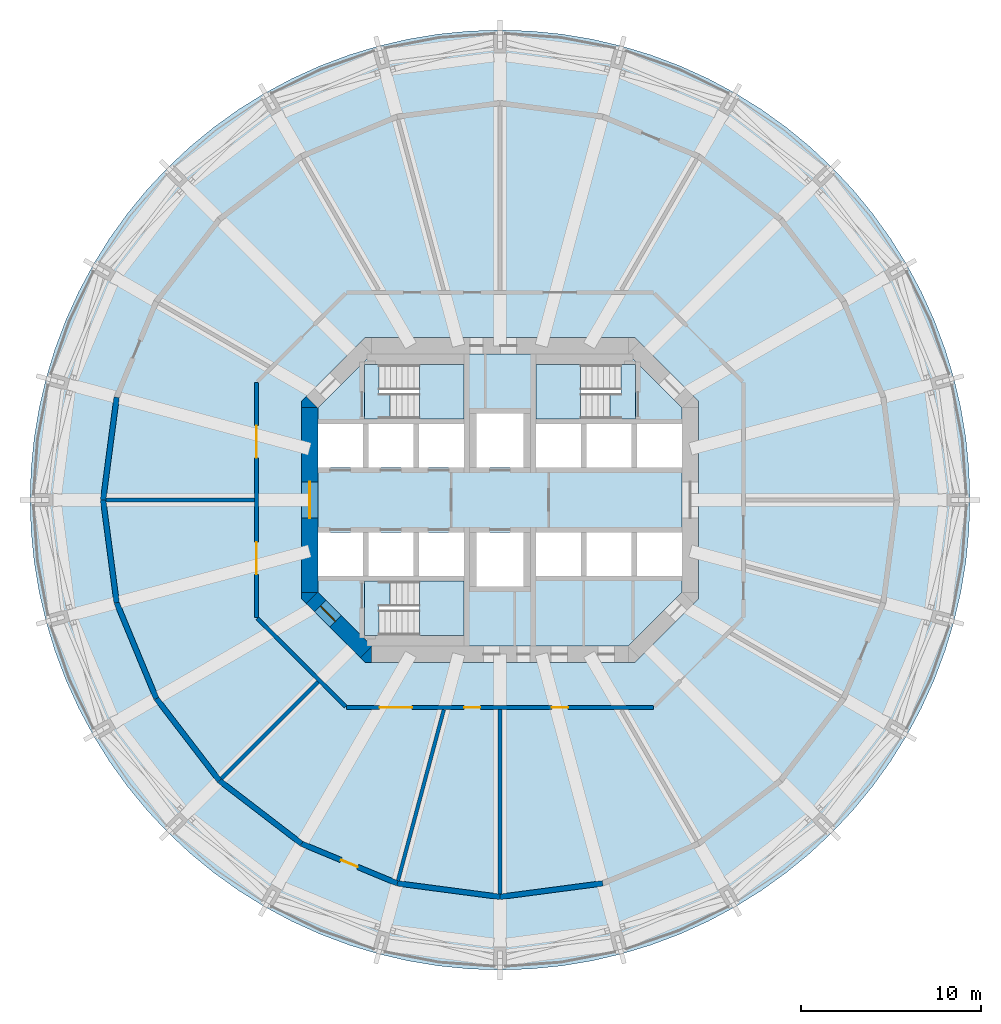
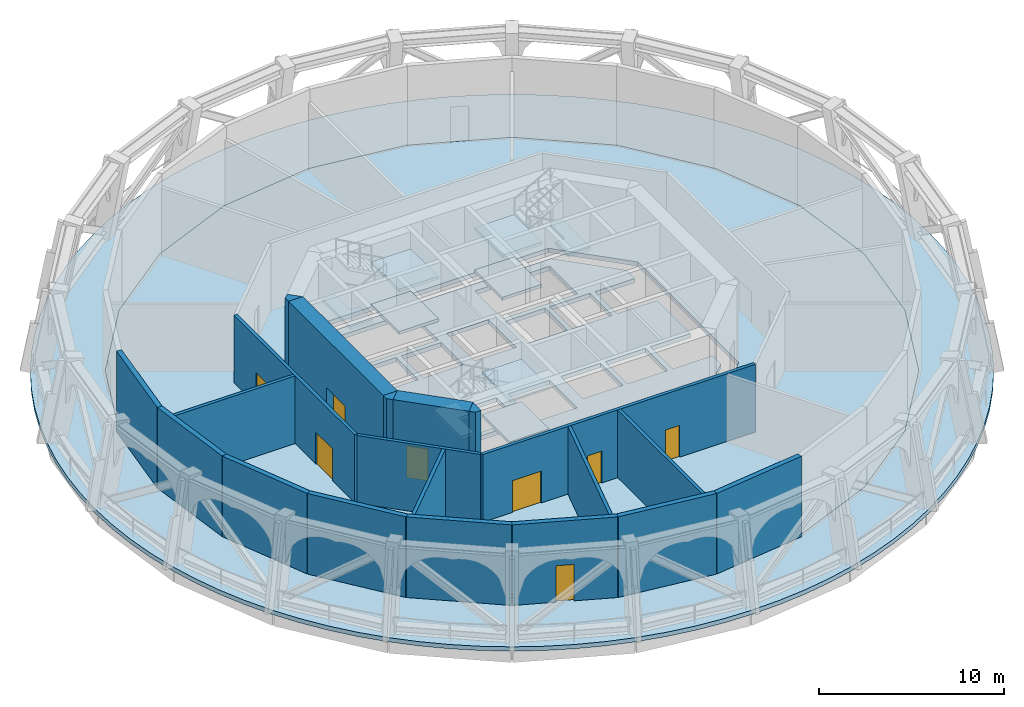
# One storey, part 3 of 9: 20 walls, 12 slabs, 8 doors, 8 openings, 3 elements without a shape of their own.
"""IFC4 building model written with IfcOpenShell, lengths in metres."""

from ifc_helpers import new_model, si_unit, direction, frame, frame_2d, origin, place, context, subcontext, project, spatial, polyline, rectangle, outline, extrude, material, layer, layer_set, type_object, element, fill, aggregate, save


model = new_model("IFC4")

# Units and contexts
model_context = context("Model", 3, precision=1e-05, world=origin(), true_north=direction((0.0, 1.0)))
body_context = subcontext(model_context, "Body", "Model", "MODEL_VIEW")
ifc_project = project(units=[si_unit("LENGTHUNIT", "METRE"), si_unit("AREAUNIT", "SQUARE_METRE"), si_unit("VOLUMEUNIT", "CUBIC_METRE"), si_unit("PLANEANGLEUNIT", "RADIAN"), si_unit("MASSUNIT", "GRAM", prefix="KILO")], contexts=[model_context])

# Site, building, storey
site_placement = place(None, origin())
site = spatial("IfcSite", under=ifc_project, at=site_placement, CompositionType="ELEMENT")
building_placement = place(site_placement, origin())
building = spatial("IfcBuilding", under=site, at=building_placement, Name="Torre Triforio", CompositionType="ELEMENT")
storey_placement = place(building_placement, frame((0.0, 0.0, 110.60009765625)))
storey = spatial("IfcBuildingStorey", under=building, at=storey_placement, Name="L24", CompositionType="ELEMENT", Elevation=110.60009765625)

# Slabs
ifc_material_1 = material(Name="Concrete C60", Category="concrete")
ifc_layer_1 = layer(ifc_material_1, 0.280029296875)
ifc_layer_set_1 = layer_set([ifc_layer_1], Name="Concrete C60")
slab_type_1 = type_object("IfcSlabType", Name="Core floor slab 280 mm C60 REI 120", PredefinedType="FLOOR", material=ifc_layer_set_1)
slab_1_placement = place(storey_placement, frame((0.0, 0.0, -0.280029296875)))
element("IfcSlab", 1, at=slab_1_placement, inside=storey, type_object=slab_type_1, Name="Core floor slab", PredefinedType="FLOOR", context=body_context, shape_type="SweptSolid", body=[
    extrude(outline(polyline([(10.10009765625, -5.10009765625), (7.10009765625, -8.10009765625), (-7.10009765625, -8.10009765625), (-10.10009765625, -5.10009765625), (-10.10009765625, -4.199951171875), (-7.60009765625, -4.199951171875), (-7.60009765625, -1.800048828125), (-10.10009765625, -1.800048828125), (-10.10009765625, 1.800048828125), (-7.60009765625, 1.800048828125), (-7.60009765625, 4.199951171875), (-10.10009765625, 4.199951171875), (-10.10009765625, 5.10009765625), (-7.10009765625, 8.10009765625), (7.10009765625, 8.10009765625), (10.10009765625, 5.10009765625), (10.10009765625, 4.199951171875), (7.60009765625, 4.199951171875), (7.60009765625, 1.800048828125), (10.10009765625, 1.800048828125), (10.10009765625, -1.800048828125), (7.60009765625, -1.800048828125), (7.60009765625, -4.199951171875), (10.10009765625, -4.199951171875), (10.10009765625, -5.10009765625)]), holes=[polyline([(-2.0, -4.5), (-6.696044921875, -4.5), (-6.696044921875, -7.5), (-2.0, -7.5), (-2.0, -4.5)]), polyline([(-4.800048828125, -1.800048828125), (-7.300048828125, -1.800048828125), (-7.300048828125, -4.199951171875), (-4.800048828125, -4.199951171875), (-4.800048828125, -1.800048828125)]), polyline([(-2.0, -1.800048828125), (-4.5, -1.800048828125), (-4.5, -4.199951171875), (-2.0, -4.199951171875), (-2.0, -1.800048828125)]), polyline([(-4.800048828125, 4.199951171875), (-7.300048828125, 4.199951171875), (-7.300048828125, 1.800048828125), (-4.800048828125, 1.800048828125), (-4.800048828125, 4.199951171875)]), polyline([(-2.0, 4.199951171875), (-4.5, 4.199951171875), (-4.5, 1.800048828125), (-2.0, 1.800048828125), (-2.0, 4.199951171875)]), polyline([(1.300048828125, 4.800048828125), (-1.300048828125, 4.800048828125), (-1.300048828125, 1.800048828125), (1.300048828125, 1.800048828125), (1.300048828125, 4.800048828125)]), polyline([(-2.0, 7.5), (-6.696044921875, 7.5), (-6.696044921875, 4.5), (-2.0, 4.5), (-2.0, 7.5)]), polyline([(1.300048828125, -1.800048828125), (-1.300048828125, -1.800048828125), (-1.300048828125, -4.800048828125), (1.300048828125, -4.800048828125), (1.300048828125, -1.800048828125)]), polyline([(4.5, -1.800048828125), (2.0, -1.800048828125), (2.0, -4.199951171875), (4.5, -4.199951171875), (4.5, -1.800048828125)]), polyline([(7.300048828125, -1.800048828125), (4.800048828125, -1.800048828125), (4.800048828125, -4.199951171875), (7.300048828125, -4.199951171875), (7.300048828125, -1.800048828125)]), polyline([(4.5, 4.199951171875), (2.0, 4.199951171875), (2.0, 1.800048828125), (4.5, 1.800048828125), (4.5, 4.199951171875)]), polyline([(7.300048828125, 4.199951171875), (4.800048828125, 4.199951171875), (4.800048828125, 1.800048828125), (7.300048828125, 1.800048828125), (7.300048828125, 4.199951171875)]), polyline([(6.696044921875, 4.5), (6.696044921875, 7.5), (2.0, 7.5), (2.0, 4.5), (6.696044921875, 4.5)])]), origin(), (0.0, 0.0, 1.0), 0.280029296875),
])
ifc_material_2 = material(Name="Concrete C50", Category="concrete")
ifc_layer_2 = layer(ifc_material_2, 0.280029296875)
ifc_layer_set_2 = layer_set([ifc_layer_2], Name="Concrete C50")
slab_type_2 = type_object("IfcSlabType", Name="Floor slab 280 C50", PredefinedType="FLOOR", material=ifc_layer_set_2)
slab_2_placement = place(storey_placement, frame((0.0, 0.0, -0.280029296875)))
element("IfcSlab", 2, at=slab_2_placement, inside=storey, type_object=slab_type_2, Name="SL.L24", PredefinedType="FLOOR", context=body_context, shape_type="SweptSolid", body=[
    extrude(outline(polyline([(19.052490234375, -11.0), (21.25048828125, -5.694091796875), (22.0, 0.0), (21.25048828125, 5.694091796875), (19.052490234375, 11.0), (15.556396484375, 15.556396484375), (11.0, 19.052490234375), (5.694091796875, 21.25048828125), (0.0, 22.0), (-5.694091796875, 21.25048828125), (-11.0, 19.052490234375), (-15.556396484375, 15.556396484375), (-19.052490234375, 11.0), (-21.25048828125, 5.694091796875), (-22.0, 0.0), (-21.25048828125, -5.694091796875), (-19.052490234375, -11.0), (-15.556396484375, -15.556396484375), (-11.0, -19.052490234375), (-5.694091796875, -21.25048828125), (0.0, -22.0), (5.694091796875, -21.25048828125), (11.0, -19.052490234375), (15.556396484375, -15.556396484375), (19.052490234375, -11.0)]), holes=[polyline([(11.0, 5.472900390625), (11.0, -5.472900390625), (7.472900390625, -9.0), (-7.472900390625, -9.0), (-11.0, -5.472900390625), (-11.0, 5.472900390625), (-7.472900390625, 9.0), (7.472900390625, 9.0), (11.0, 5.472900390625)])]), origin(), (0.0, 0.0, 1.0), 0.280029296875),
])
ifc_layer_3 = layer(ifc_material_2, 0.280029296875)
ifc_layer_set_3 = layer_set([ifc_layer_3], Name="Concrete C50")
slab_type_3 = type_object("IfcSlabType", Name="Loggia slab 280 C50", PredefinedType="FLOOR", material=ifc_layer_set_3)
slab_3_placement = place(storey_placement, frame((0.0, 0.0, -0.280029296875)))
element("IfcSlab", 3, at=slab_3_placement, inside=storey, type_object=slab_type_3, Name="SL.L24.LG", PredefinedType="FLOOR", context=body_context, shape_type="SweptSolid", body=[
    extrude(outline(polyline([(25.994140625, -1.703857421875), (26.050048828125, 0.0), (25.994140625, 1.703857421875), (25.8271484375, 3.400146484375), (25.549560546875, 5.08203125), (25.162353515625, 6.7421875), (24.66748046875, 8.37353515625), (24.067138671875, 9.968994140625), (23.363525390625, 11.521728515625), (22.56005859375, 13.02490234375), (21.65966796875, 14.47265625), (20.666748046875, 15.858154296875), (19.58544921875, 17.176025390625), (18.420166015625, 18.420166015625), (17.176025390625, 19.58544921875), (15.858154296875, 20.666748046875), (14.47265625, 21.65966796875), (13.02490234375, 22.56005859375), (11.521728515625, 23.363525390625), (9.968994140625, 24.067138671875), (8.37353515625, 24.66748046875), (6.7421875, 25.162353515625), (5.08203125, 25.549560546875), (3.400146484375, 25.8271484375), (1.703857421875, 25.994140625), (0.0, 26.050048828125), (-1.703857421875, 25.994140625), (-3.400146484375, 25.8271484375), (-5.08203125, 25.549560546875), (-6.7421875, 25.162353515625), (-8.37353515625, 24.66748046875), (-9.968994140625, 24.067138671875), (-11.521728515625, 23.363525390625), (-13.02490234375, 22.56005859375), (-14.47265625, 21.65966796875), (-15.858154296875, 20.666748046875), (-17.176025390625, 19.58544921875), (-18.420166015625, 18.420166015625), (-19.58544921875, 17.176025390625), (-20.666748046875, 15.858154296875), (-21.65966796875, 14.47265625), (-22.56005859375, 13.02490234375), (-23.363525390625, 11.521728515625), (-24.067138671875, 9.968994140625), (-24.66748046875, 8.37353515625), (-25.162353515625, 6.7421875), (-25.549560546875, 5.08203125), (-25.8271484375, 3.400146484375), (-25.994140625, 1.703857421875), (-26.050048828125, 0.0), (-25.994140625, -1.703857421875), (-25.8271484375, -3.400146484375), (-25.549560546875, -5.08203125), (-25.162353515625, -6.7421875), (-24.66748046875, -8.37353515625), (-24.067138671875, -9.968994140625), (-23.363525390625, -11.521728515625), (-22.56005859375, -13.02490234375), (-21.65966796875, -14.47265625), (-20.666748046875, -15.858154296875), (-19.58544921875, -17.176025390625), (-18.420166015625, -18.420166015625), (-17.176025390625, -19.58544921875), (-15.858154296875, -20.666748046875), (-14.47265625, -21.65966796875), (-13.02490234375, -22.56005859375), (-11.521728515625, -23.363525390625), (-9.968994140625, -24.067138671875), (-8.37353515625, -24.66748046875), (-6.7421875, -25.162353515625), (-5.08203125, -25.549560546875), (-3.400146484375, -25.8271484375), (-1.703857421875, -25.994140625), (0.0, -26.050048828125), (1.703857421875, -25.994140625), (3.400146484375, -25.8271484375), (5.08203125, -25.549560546875), (6.7421875, -25.162353515625), (8.37353515625, -24.66748046875), (9.968994140625, -24.067138671875), (11.521728515625, -23.363525390625), (13.02490234375, -22.56005859375), (14.47265625, -21.65966796875), (15.858154296875, -20.666748046875), (17.176025390625, -19.58544921875), (18.420166015625, -18.420166015625), (19.58544921875, -17.176025390625), (20.666748046875, -15.858154296875), (21.65966796875, -14.47265625), (22.56005859375, -13.02490234375), (23.363525390625, -11.521728515625), (24.067138671875, -9.968994140625), (24.66748046875, -8.37353515625), (25.162353515625, -6.7421875), (25.549560546875, -5.08203125), (25.8271484375, -3.400146484375), (25.994140625, -1.703857421875)]), holes=[polyline([(21.25048828125, 5.694091796875), (22.0, 0.0), (21.25048828125, -5.694091796875), (19.052490234375, -11.0), (15.556396484375, -15.556396484375), (11.0, -19.052490234375), (5.694091796875, -21.25048828125), (0.0, -22.0), (-5.694091796875, -21.25048828125), (-11.0, -19.052490234375), (-15.556396484375, -15.556396484375), (-19.052490234375, -11.0), (-21.25048828125, -5.694091796875), (-22.0, 0.0), (-21.25048828125, 5.694091796875), (-19.052490234375, 11.0), (-15.556396484375, 15.556396484375), (-11.0, 19.052490234375), (-5.694091796875, 21.25048828125), (0.0, 22.0), (5.694091796875, 21.25048828125), (11.0, 19.052490234375), (15.556396484375, 15.556396484375), (19.052490234375, 11.0), (21.25048828125, 5.694091796875)])]), origin(), (0.0, 0.0, 1.0), 0.280029296875),
])

# Stair, slabs
ifc_material_3 = material(Name="Concrete C40", Category="concrete")
stair_type = type_object("IfcStairType", Name="STAIR DOUBLE RETURN 320 GOING", PredefinedType="DOUBLE_RETURN_STAIR", material=ifc_material_3)
stair_1_placement = place(storey_placement, origin())
stair_1 = element("IfcStair", 4, at=stair_1_placement, inside=storey, type_object=stair_type, Name="Exit stair 1", PredefinedType="DOUBLE_RETURN_STAIR")
ifc_layer_4 = layer(ifc_material_3, 0.199951171875)
ifc_layer_set_4 = layer_set([ifc_layer_4], Name="Concrete C40")
slab_type_4 = type_object("IfcSlabType", Name="STAIR LANDING 200", PredefinedType="LANDING", material=ifc_layer_set_4)
slab_4_placement = place(storey_placement, frame((0.0, 0.0, 1.199951171875)))
slab_4 = element("IfcSlab", 5, at=slab_4_placement, type_object=slab_type_4, Name="ST1 landing 1", PredefinedType="LANDING", context=body_context, shape_type="SweptSolid", body=[
    extrude(outline(polyline([(-2.0, 4.5), (-2.0, 7.5), (-4.4599609375, 7.5), (-4.4599609375, 4.5), (-2.0, 4.5)])), origin(), (0.0, 0.0, 1.0), 0.199951171875),
])
slab_5_placement = place(storey_placement, frame((0.0, 0.0, 2.599853515625)))
slab_5 = element("IfcSlab", 6, at=slab_5_placement, type_object=slab_type_4, Name="ST1 landing 2", PredefinedType="LANDING", context=body_context, shape_type="SweptSolid", body=[
    extrude(outline(polyline([(-6.10009765625, 5.89990234375), (-6.10009765625, 4.5), (-6.696044921875, 4.5), (-6.699951171875, 4.5), (-7.5, 4.5), (-7.5, 7.5), (-6.696044921875, 7.5), (-6.696044921875, 5.89990234375), (-6.10009765625, 5.89990234375)])), origin(), (0.0, 0.0, 1.0), 0.199951171875),
])
slab_6_placement = place(storey_placement, frame((0.0, 0.0, 4.0)))
slab_6 = element("IfcSlab", 7, at=slab_6_placement, type_object=slab_type_4, Name="ST1 landing 3", PredefinedType="LANDING", context=body_context, shape_type="SweptSolid", body=[
    extrude(outline(polyline([(-2.0, 4.5), (-2.0, 7.5), (-4.4599609375, 7.5), (-4.4599609375, 4.5), (-2.0, 4.5)])), origin(), (0.0, 0.0, 1.0), 0.199951171875),
])
aggregate(stair_1, [slab_4, slab_5, slab_6])

stair_2_placement = place(storey_placement, origin())
stair_2 = element("IfcStair", 8, at=stair_2_placement, inside=storey, type_object=stair_type, Name="Exit stair 2", PredefinedType="DOUBLE_RETURN_STAIR")
slab_7_placement = place(storey_placement, frame((0.0, 0.0, 1.199951171875)))
slab_7 = element("IfcSlab", 9, at=slab_7_placement, type_object=slab_type_4, Name="ST2 landing 1", PredefinedType="LANDING", context=body_context, shape_type="SweptSolid", body=[
    extrude(outline(polyline([(4.4599609375, 4.5), (4.4599609375, 7.5), (2.0, 7.5), (2.0, 4.5), (4.4599609375, 4.5)])), origin(), (0.0, 0.0, 1.0), 0.199951171875),
])
slab_8_placement = place(storey_placement, frame((0.0, 0.0, 2.599853515625)))
slab_8 = element("IfcSlab", 10, at=slab_8_placement, type_object=slab_type_4, Name="ST2 landing 2", PredefinedType="LANDING", context=body_context, shape_type="SweptSolid", body=[
    extrude(outline(polyline([(6.10009765625, 4.5), (6.10009765625, 5.89990234375), (6.696044921875, 5.89990234375), (6.696044921875, 7.5), (7.5, 7.5), (7.5, 4.5), (6.699951171875, 4.5), (6.696044921875, 4.5), (6.10009765625, 4.5)])), origin(), (0.0, 0.0, 1.0), 0.199951171875),
])
slab_9_placement = place(storey_placement, frame((0.0, 0.0, 4.0)))
slab_9 = element("IfcSlab", 11, at=slab_9_placement, type_object=slab_type_4, Name="ST2 landing 3", PredefinedType="LANDING", context=body_context, shape_type="SweptSolid", body=[
    extrude(outline(polyline([(4.4599609375, 4.5), (4.4599609375, 7.5), (2.0, 7.5), (2.0, 4.5), (4.4599609375, 4.5)])), origin(), (0.0, 0.0, 1.0), 0.199951171875),
])
aggregate(stair_2, [slab_7, slab_8, slab_9])

stair_3_placement = place(storey_placement, origin())
stair_3 = element("IfcStair", 12, at=stair_3_placement, inside=storey, type_object=stair_type, Name="Exit stair 3", PredefinedType="DOUBLE_RETURN_STAIR")
slab_10_placement = place(storey_placement, frame((0.0, 0.0, 1.199951171875)))
slab_10 = element("IfcSlab", 13, at=slab_10_placement, type_object=slab_type_4, Name="ST3 landing 1", PredefinedType="LANDING", context=body_context, shape_type="SweptSolid", body=[
    extrude(outline(polyline([(-2.0, -7.5), (-2.0, -4.5), (-4.4599609375, -4.5), (-4.4599609375, -7.5), (-2.0, -7.5)])), origin(), (0.0, 0.0, 1.0), 0.199951171875),
])
slab_11_placement = place(storey_placement, frame((0.0, 0.0, 2.599853515625)))
slab_11 = element("IfcSlab", 14, at=slab_11_placement, type_object=slab_type_4, Name="ST3 landing 2", PredefinedType="LANDING", context=body_context, shape_type="SweptSolid", body=[
    extrude(outline(polyline([(-6.696044921875, -7.5), (-7.5, -7.5), (-7.5, -4.5), (-6.699951171875, -4.5), (-6.696044921875, -4.5), (-6.10009765625, -4.5), (-6.10009765625, -5.89990234375), (-6.696044921875, -5.89990234375), (-6.696044921875, -7.5)])), origin(), (0.0, 0.0, 1.0), 0.199951171875),
])
slab_12_placement = place(storey_placement, frame((0.0, 0.0, 4.0)))
slab_12 = element("IfcSlab", 15, at=slab_12_placement, type_object=slab_type_4, Name="ST3 landing 3", PredefinedType="LANDING", context=body_context, shape_type="SweptSolid", body=[
    extrude(outline(polyline([(-2.0, -7.5), (-2.0, -4.5), (-4.4599609375, -4.5), (-4.4599609375, -7.5), (-2.0, -7.5)])), origin(), (0.0, 0.0, 1.0), 0.199951171875),
])
aggregate(stair_3, [slab_10, slab_11, slab_12])

# Wall, opening, door
ifc_layer_5 = layer(ifc_material_1, 0.89990234375)
ifc_layer_set_5 = layer_set([ifc_layer_5], Name="Concrete C60")
wall_type_1 = type_object("IfcWallType", Name="Core wall 900 mm C60 EI 120", PredefinedType="SHEAR", material=ifc_layer_set_5)
wall_1_placement = place(storey_placement, frame((-10.550048828125, -5.1298828125, -0.280029296875), z_axis=(0.0, 0.0, 1.0), x_axis=(0.0, 1.0, 0.0)))
wall_1 = element("IfcWall", 16, at=wall_1_placement, inside=storey, type_object=wall_type_1, Name="Core wall", PredefinedType="SHEAR", context=body_context, shape_type="SweptSolid", body=[
    extrude(rectangle(XDim=10.259765625, YDim=0.89990234375, at=frame_2d((5.1298828125, 0.0))), origin(), (0.0, 0.0, 1.0), 5.599853515625),
])
opening_1_placement = place(wall_1_placement, frame((4.1298828125, 0.0, 0.280029296875)))
opening_1 = element("IfcOpeningElement", 17, at=opening_1_placement, cuts=wall_1, Name="Opening W-RING", PredefinedType="OPENING", context=body_context, shape_type="SweptSolid", body=[
    extrude(rectangle(XDim=2.0, YDim=2.10009765625, at=frame_2d((1.0, 1.050048828125))), frame((0.0, 0.4599609375, 0.0), z_axis=(0.0, -1.0, 0.0), x_axis=(1.0, 0.0, 0.0)), (0.0, 0.0, 1.0), 0.919921875),
])
ifc_material_4 = material(Name="Hollow metal fire door leaf")
door_type_1 = type_object("IfcDoorType", Name="Lobby door 2000 x 2100 EI 60", OperationType="DOUBLE_DOOR_SINGLE_SWING", PredefinedType="DOOR", material=ifc_material_4)
door_1_placement = place(opening_1_placement, origin())
door_1 = element("IfcDoor", 18, at=door_1_placement, inside=storey, type_object=door_type_1, Name="Core door W-RING", OperationType="DOUBLE_DOOR_SINGLE_SWING", OverallHeight=2.10009765625, OverallWidth=2.0, PredefinedType="DOOR", context=body_context, shape_type="SweptSolid", body=[
    extrude(rectangle(XDim=2.0, YDim=2.10009765625, at=frame_2d((1.0, 1.050048828125))), frame((0.0, 0.02490234375, 0.0), z_axis=(0.0, -1.0, 0.0), x_axis=(1.0, 0.0, 0.0)), (0.0, 0.0, 1.0), 0.050048828125),
])
fill(opening_1, door_1)

wall_2_placement = place(storey_placement, frame((-7.418212890625, -8.418212890625, -0.280029296875), z_axis=(0.0, 0.0, 1.0), x_axis=(-0.707106781187, 0.707106781187, 0.0)))
wall_2 = element("IfcWall", 19, at=wall_2_placement, inside=storey, type_object=wall_type_1, Name="Core wall", PredefinedType="SHEAR", context=body_context, shape_type="SweptSolid", body=[
    extrude(rectangle(XDim=4.24267578125, YDim=0.89990234375, at=frame_2d((2.121337890625, 0.0))), origin(), (0.0, 0.0, 1.0), 5.599853515625),
])
opening_2_placement = place(wall_2_placement, frame((2.392578125, 0.0, 0.280029296875)))
opening_2 = element("IfcOpeningElement", 20, at=opening_2_placement, cuts=wall_2, Name="Opening ST3-EXIT", PredefinedType="OPENING", context=body_context, shape_type="SweptSolid", body=[
    extrude(rectangle(XDim=1.199951171875, YDim=2.10009765625, at=frame_2d((0.60009765625, 1.050048828125))), frame((0.0, 0.4599609375, 0.0), z_axis=(0.0, -1.0, 0.0), x_axis=(1.0, 0.0, 0.0)), (0.0, 0.0, 1.0), 0.919921875),
])
door_type_2 = type_object("IfcDoorType", Name="Stair lobby door 1200 x 2100 EI 60", OperationType="NOTDEFINED", PredefinedType="DOOR", material=ifc_material_4)
door_2_placement = place(opening_2_placement, origin())
door_2 = element("IfcDoor", 21, at=door_2_placement, inside=storey, type_object=door_type_2, Name="Core door ST3-EXIT", OperationType="SINGLE_SWING_RIGHT", OverallHeight=2.10009765625, OverallWidth=1.199951171875, PredefinedType="DOOR", context=body_context, shape_type="SweptSolid", body=[
    extrude(rectangle(XDim=1.199951171875, YDim=2.10009765625, at=frame_2d((0.60009765625, 1.050048828125))), frame((0.0, 0.02490234375, 0.0), z_axis=(0.0, -1.0, 0.0), x_axis=(1.0, 0.0, 0.0)), (0.0, 0.0, 1.0), 0.050048828125),
])
fill(opening_2, door_2)

# Walls
wall_3_placement = place(storey_placement, frame((0.0, 0.0, -0.280029296875)))
element("IfcWall", 22, at=wall_3_placement, inside=storey, type_object=wall_type_1, Name="Core wall", PredefinedType="SHEAR", context=body_context, shape_type="SweptSolid", body=[
    extrude(outline(polyline([(-7.472900390625, -9.0), (-7.736328125, -8.736328125), (-7.1298828125, -8.1298828125), (-7.1298828125, -9.0), (-7.472900390625, -9.0)])), origin(), (0.0, 0.0, 1.0), 5.599853515625),
])
wall_4_placement = place(storey_placement, frame((0.0, 0.0, -0.280029296875)))
element("IfcWall", 23, at=wall_4_placement, inside=storey, type_object=wall_type_1, Name="Core wall", PredefinedType="SHEAR", context=body_context, shape_type="SweptSolid", body=[
    extrude(outline(polyline([(-11.0, -5.472900390625), (-11.0, -5.1298828125), (-10.1298828125, -5.1298828125), (-10.736328125, -5.736328125), (-11.0, -5.472900390625)])), origin(), (0.0, 0.0, 1.0), 5.599853515625),
])
wall_5_placement = place(storey_placement, frame((0.0, 0.0, -0.280029296875)))
element("IfcWall", 24, at=wall_5_placement, inside=storey, type_object=wall_type_1, Name="Core wall", PredefinedType="SHEAR", context=body_context, shape_type="SweptSolid", body=[
    extrude(outline(polyline([(-10.736328125, 5.736328125), (-10.1298828125, 5.1298828125), (-11.0, 5.1298828125), (-11.0, 5.472900390625), (-10.736328125, 5.736328125)])), origin(), (0.0, 0.0, 1.0), 5.599853515625),
])
ifc_material_5 = material(Name="Aluminium louvre blades", Category="aluminium")
ifc_layer_6 = layer(ifc_material_5, 0.300048828125)
ifc_layer_set_6 = layer_set([ifc_layer_6], Name="Aluminium louvre blades")
wall_type_2 = type_object("IfcWallType", Name="Louvred enclosure wall 300", PredefinedType="STANDARD", material=ifc_layer_set_6)
for number, where, z_axis, x_axis, name in (
    (25, (-21.25048828125, 5.694091796875, 0.0), (0.0, 0.0, 1.0), (-0.130503995834, -0.991447783331, 0.0), "Louvred enclosure L24 bay 12"),
    (26, (-22.0, 0.0, 0.0), (0.0, 0.0, 1.0), (0.130503995834, -0.991447783331, 0.0), "Louvred enclosure L24 bay 13"),
    (27, (-21.25048828125, -5.694091796875, 0.0), (0.0, 0.0, 1.0), (0.382715966503, -0.923866055759, 0.0), "Louvred enclosure L24 bay 14"),
    (28, (-19.052490234375, -11.0, 0.0), (0.0, 0.0, 1.0), (0.608744744291, -0.793366142647, 0.0), "Louvred enclosure L24 bay 15"),
    (29, (-15.556396484375, -15.556396484375, 0.0), (0.0, 0.0, 1.0), (0.793366142647, -0.608744744291, 0.0), "Louvred enclosure L24 bay 16"),
):
    element("IfcWall", number, at=place(storey_placement, frame(where, z_axis=z_axis, x_axis=x_axis)), inside=storey, type_object=wall_type_2, Name=name, PredefinedType="STANDARD", context=body_context, shape_type="SweptSolid", body=[
        extrude(rectangle(XDim=5.7431640625, YDim=0.300048828125, at=frame_2d((2.87158203125, 0.0))), origin(), (0.0, 0.0, 1.0), 5.31982421875),
    ])

# Wall, opening, door
wall_6_placement = place(storey_placement, frame((-11.0, -19.052490234375, 0.0), z_axis=(0.0, 0.0, 1.0), x_axis=(0.923866055759, -0.382715966503, 0.0)))
wall_6 = element("IfcWall", 30, at=wall_6_placement, inside=storey, type_object=wall_type_2, Name="Louvred enclosure L24 bay 17", PredefinedType="STANDARD", context=body_context, shape_type="SweptSolid", body=[
    extrude(rectangle(XDim=5.7431640625, YDim=0.300048828125, at=frame_2d((2.87158203125, 0.0))), origin(), (0.0, 0.0, 1.0), 5.31982421875),
])
opening_3_placement = place(wall_6_placement, frame((2.37158203125, 0.0, 0.0)))
opening_3 = element("IfcOpeningElement", 31, at=opening_3_placement, cuts=wall_6, Name="Opening PL1-D17", PredefinedType="OPENING", context=body_context, shape_type="SweptSolid", body=[
    extrude(rectangle(XDim=1.0, YDim=2.39990234375, at=frame_2d((0.5, 1.199951171875))), frame((0.0, 0.159912109375, 0.0), z_axis=(0.0, -1.0, 0.0), x_axis=(1.0, 0.0, 0.0)), (0.0, 0.0, 1.0), 0.320068359375),
])
ifc_material_6 = material(Name="Galvanised hollow metal louvred door")
door_type_3 = type_object("IfcDoorType", Name="Deck service door 1000 x 2400", OperationType="NOTDEFINED", PredefinedType="DOOR", material=ifc_material_6)
door_3_placement = place(opening_3_placement, origin())
door_3 = element("IfcDoor", 32, at=door_3_placement, inside=storey, type_object=door_type_3, Name="Deck service door L24 bay 17", OperationType="SINGLE_SWING_LEFT", OverallHeight=2.39990234375, OverallWidth=1.0, PredefinedType="DOOR", context=body_context, shape_type="SweptSolid", body=[
    extrude(rectangle(XDim=1.0, YDim=2.39990234375, at=frame_2d((0.5, 1.199951171875))), frame((0.0, 0.02490234375, 0.0), z_axis=(0.0, -1.0, 0.0), x_axis=(1.0, 0.0, 0.0)), (0.0, 0.0, 1.0), 0.050048828125),
])
fill(opening_3, door_3)

# Walls
for number, where, z_axis, x_axis, name in (
    (33, (-5.694091796875, -21.25048828125, 0.0), (0.0, 0.0, 1.0), (0.991447783331, -0.130503995834, 0.0), "Louvred enclosure L24 bay 18"),
    (34, (0.0, -22.0, 0.0), (0.0, 0.0, 1.0), (0.991447783331, 0.130503995834, 0.0), "Louvred enclosure L24 bay 19"),
):
    element("IfcWall", number, at=place(storey_placement, frame(where, z_axis=z_axis, x_axis=x_axis)), inside=storey, type_object=wall_type_2, Name=name, PredefinedType="STANDARD", context=body_context, shape_type="SweptSolid", body=[
        extrude(rectangle(XDim=5.7431640625, YDim=0.300048828125, at=frame_2d((2.87158203125, 0.0))), origin(), (0.0, 0.0, 1.0), 5.31982421875),
    ])

# Wall, openings, doors
ifc_material_7 = material(Name="Masonry block", Category="masonry")
ifc_layer_7 = layer(ifc_material_7, 0.199951171875)
ifc_layer_set_7 = layer_set([ifc_layer_7], Name="Masonry block")
wall_type_3 = type_object("IfcWallType", Name="Plant room wall 200 mm block EI 120", PredefinedType="PARTITIONING", material=ifc_layer_set_7)
wall_7_placement = place(storey_placement, frame((8.50830078125, -11.5, 0.0), z_axis=(0.0, 0.0, 1.0), x_axis=(-1.0, 0.0, 0.0)))
wall_7 = element("IfcWall", 35, at=wall_7_placement, inside=storey, type_object=wall_type_3, Name="Partition 2", PredefinedType="PARTITIONING", context=body_context, shape_type="SweptSolid", body=[
    extrude(rectangle(XDim=17.0166015625, YDim=0.199951171875, at=frame_2d((8.50830078125, 0.0))), origin(), (0.0, 0.0, 1.0), 4.469970703125),
])
opening_4_placement = place(wall_7_placement, frame((13.378173828125, 0.0, 0.0)))
opening_4 = element("IfcOpeningElement", 36, at=opening_4_placement, cuts=wall_7, Name="Opening PL1-08", PredefinedType="OPENING", context=body_context, shape_type="SweptSolid", body=[
    extrude(rectangle(XDim=1.800048828125, YDim=2.10009765625, at=frame_2d((0.89990234375, 1.050048828125))), frame((0.0, 0.10986328125, 0.0), z_axis=(0.0, -1.0, 0.0), x_axis=(1.0, 0.0, 0.0)), (0.0, 0.0, 1.0), 0.219970703125),
])
opening_5_placement = place(wall_7_placement, frame((9.599853515625, 0.0, 0.0)))
opening_5 = element("IfcOpeningElement", 37, at=opening_5_placement, cuts=wall_7, Name="Opening PL1-09", PredefinedType="OPENING", context=body_context, shape_type="SweptSolid", body=[
    extrude(rectangle(XDim=0.89990234375, YDim=2.10009765625, at=frame_2d((0.449951171875, 1.050048828125))), frame((0.0, 0.10986328125, 0.0), z_axis=(0.0, -1.0, 0.0), x_axis=(1.0, 0.0, 0.0)), (0.0, 0.0, 1.0), 0.219970703125),
])
opening_6_placement = place(wall_7_placement, frame((4.734619140625, 0.0, 0.0)))
opening_6 = element("IfcOpeningElement", 38, at=opening_6_placement, cuts=wall_7, Name="Opening PL1-10", PredefinedType="OPENING", context=body_context, shape_type="SweptSolid", body=[
    extrude(rectangle(XDim=0.89990234375, YDim=2.10009765625, at=frame_2d((0.449951171875, 1.050048828125))), frame((0.0, 0.10986328125, 0.0), z_axis=(0.0, -1.0, 0.0), x_axis=(1.0, 0.0, 0.0)), (0.0, 0.0, 1.0), 0.219970703125),
])
door_type_4 = type_object("IfcDoorType", Name="Door 1800 x 2100 double leaf EI 60", OperationType="DOUBLE_DOOR_SINGLE_SWING", PredefinedType="DOOR", material=ifc_material_4)
door_4_placement = place(opening_4_placement, origin())
door_4 = element("IfcDoor", 39, at=door_4_placement, inside=storey, type_object=door_type_4, Name="Door PL1-08", OperationType="DOUBLE_DOOR_SINGLE_SWING", OverallHeight=2.10009765625, OverallWidth=1.800048828125, PredefinedType="DOOR", context=body_context, shape_type="SweptSolid", body=[
    extrude(rectangle(XDim=1.800048828125, YDim=2.10009765625, at=frame_2d((0.89990234375, 1.050048828125))), frame((0.0, 0.02490234375, 0.0), z_axis=(0.0, -1.0, 0.0), x_axis=(1.0, 0.0, 0.0)), (0.0, 0.0, 1.0), 0.050048828125),
])
fill(opening_4, door_4)
door_type_5 = type_object("IfcDoorType", Name="Door 900 x 2100 single leaf EI 60", OperationType="NOTDEFINED", PredefinedType="DOOR", material=ifc_material_4)
door_5_placement = place(opening_5_placement, origin())
door_5 = element("IfcDoor", 40, at=door_5_placement, inside=storey, type_object=door_type_5, Name="Door PL1-09", OperationType="SINGLE_SWING_LEFT", OverallHeight=2.10009765625, OverallWidth=0.89990234375, PredefinedType="DOOR", context=body_context, shape_type="SweptSolid", body=[
    extrude(rectangle(XDim=0.89990234375, YDim=2.10009765625, at=frame_2d((0.449951171875, 1.050048828125))), frame((0.0, 0.02490234375, 0.0), z_axis=(0.0, -1.0, 0.0), x_axis=(1.0, 0.0, 0.0)), (0.0, 0.0, 1.0), 0.050048828125),
])
fill(opening_5, door_5)
door_6_placement = place(opening_6_placement, origin())
door_6 = element("IfcDoor", 41, at=door_6_placement, inside=storey, type_object=door_type_5, Name="Door PL1-10", OperationType="SINGLE_SWING_LEFT", OverallHeight=2.10009765625, OverallWidth=0.89990234375, PredefinedType="DOOR", context=body_context, shape_type="SweptSolid", body=[
    extrude(rectangle(XDim=0.89990234375, YDim=2.10009765625, at=frame_2d((0.449951171875, 1.050048828125))), frame((0.0, 0.02490234375, 0.0), z_axis=(0.0, -1.0, 0.0), x_axis=(1.0, 0.0, 0.0)), (0.0, 0.0, 1.0), 0.050048828125),
])
fill(opening_6, door_6)

# Wall
wall_8_placement = place(storey_placement, frame((-8.557861328125, -11.450439453125, 0.0), z_axis=(0.0, 0.0, 1.0), x_axis=(-0.707106781187, 0.707106781187, 0.0)))
element("IfcWall", 42, at=wall_8_placement, inside=storey, type_object=wall_type_3, Name="Partition 3", PredefinedType="PARTITIONING", context=body_context, shape_type="SweptSolid", body=[
    extrude(rectangle(XDim=6.919189453125, YDim=0.199951171875, at=frame_2d((3.45947265625, 0.0))), origin(), (0.0, 0.0, 1.0), 4.469970703125),
])

# Wall, openings, doors
wall_9_placement = place(storey_placement, frame((-13.5, -6.50830078125, 0.0), z_axis=(0.0, 0.0, 1.0), x_axis=(0.0, 1.0, 0.0)))
wall_9 = element("IfcWall", 43, at=wall_9_placement, inside=storey, type_object=wall_type_3, Name="Partition 4", PredefinedType="PARTITIONING", context=body_context, shape_type="SweptSolid", body=[
    extrude(rectangle(XDim=13.0166015625, YDim=0.199951171875, at=frame_2d((6.50830078125, 0.0))), origin(), (0.0, 0.0, 1.0), 4.469970703125),
])
opening_7_placement = place(wall_9_placement, frame((8.83740234375, 0.0, 0.0)))
opening_7 = element("IfcOpeningElement", 44, at=opening_7_placement, cuts=wall_9, Name="Opening PL1-06", PredefinedType="OPENING", context=body_context, shape_type="SweptSolid", body=[
    extrude(rectangle(XDim=1.800048828125, YDim=2.10009765625, at=frame_2d((0.89990234375, 1.050048828125))), frame((0.0, 0.10986328125, 0.0), z_axis=(0.0, -1.0, 0.0), x_axis=(1.0, 0.0, 0.0)), (0.0, 0.0, 1.0), 0.219970703125),
])
opening_8_placement = place(wall_9_placement, frame((2.379150390625, 0.0, 0.0)))
opening_8 = element("IfcOpeningElement", 45, at=opening_8_placement, cuts=wall_9, Name="Opening PL1-07", PredefinedType="OPENING", context=body_context, shape_type="SweptSolid", body=[
    extrude(rectangle(XDim=1.800048828125, YDim=2.10009765625, at=frame_2d((0.89990234375, 1.050048828125))), frame((0.0, 0.10986328125, 0.0), z_axis=(0.0, -1.0, 0.0), x_axis=(1.0, 0.0, 0.0)), (0.0, 0.0, 1.0), 0.219970703125),
])
door_7_placement = place(opening_7_placement, origin())
door_7 = element("IfcDoor", 46, at=door_7_placement, inside=storey, type_object=door_type_4, Name="Door PL1-06", OperationType="DOUBLE_DOOR_SINGLE_SWING", OverallHeight=2.10009765625, OverallWidth=1.800048828125, PredefinedType="DOOR", context=body_context, shape_type="SweptSolid", body=[
    extrude(rectangle(XDim=1.800048828125, YDim=2.10009765625, at=frame_2d((0.89990234375, 1.050048828125))), frame((0.0, 0.02490234375, 0.0), z_axis=(0.0, -1.0, 0.0), x_axis=(1.0, 0.0, 0.0)), (0.0, 0.0, 1.0), 0.050048828125),
])
fill(opening_7, door_7)
door_8_placement = place(opening_8_placement, origin())
door_8 = element("IfcDoor", 47, at=door_8_placement, inside=storey, type_object=door_type_4, Name="Door PL1-07", OperationType="DOUBLE_DOOR_SINGLE_SWING", OverallHeight=2.10009765625, OverallWidth=1.800048828125, PredefinedType="DOOR", context=body_context, shape_type="SweptSolid", body=[
    extrude(rectangle(XDim=1.800048828125, YDim=2.10009765625, at=frame_2d((0.89990234375, 1.050048828125))), frame((0.0, 0.02490234375, 0.0), z_axis=(0.0, -1.0, 0.0), x_axis=(1.0, 0.0, 0.0)), (0.0, 0.0, 1.0), 0.050048828125),
])
fill(opening_8, door_8)

# Walls
wall_10_placement = place(storey_placement, frame((-13.60009765625, 0.0, 0.0), z_axis=(0.0, 0.0, 1.0), x_axis=(-1.0, 0.0, 0.0)))
element("IfcWall", 48, at=wall_10_placement, inside=storey, type_object=wall_type_3, Name="Partition 15", PredefinedType="PARTITIONING", context=body_context, shape_type="SweptSolid", body=[
    extrude(rectangle(XDim=8.236572265625, YDim=0.199951171875, at=frame_2d((4.1181640625, 0.0))), origin(), (0.0, 0.0, 1.0), 4.469970703125),
])
wall_11_placement = place(storey_placement, frame((-10.074951171875, -10.074951171875, 0.0), z_axis=(0.0, 0.0, 1.0), x_axis=(-0.707106781187, -0.707106781187, 0.0)))
element("IfcWall", 49, at=wall_11_placement, inside=storey, type_object=wall_type_3, Name="Partition 16", PredefinedType="PARTITIONING", context=body_context, shape_type="SweptSolid", body=[
    extrude(rectangle(XDim=7.588623046875, YDim=0.199951171875, at=frame_2d((3.79443359375, 0.0))), origin(), (0.0, 0.0, 1.0), 4.469970703125),
])
wall_12_placement = place(storey_placement, frame((-3.114990234375, -11.62548828125, 0.0), z_axis=(0.0, 0.0, 1.0), x_axis=(-0.258836107803, -0.965921254191, 0.0)))
element("IfcWall", 50, at=wall_12_placement, inside=storey, type_object=wall_type_3, Name="Partition 17", PredefinedType="PARTITIONING", context=body_context, shape_type="SweptSolid", body=[
    extrude(rectangle(XDim=9.801025390625, YDim=0.199951171875, at=frame_2d((4.900390625, 0.0))), origin(), (0.0, 0.0, 1.0), 4.469970703125),
])
wall_13_placement = place(storey_placement, frame((0.0, -11.60009765625, 0.0), z_axis=(0.0, 0.0, 1.0), x_axis=(0.0, -1.0, 0.0)))
element("IfcWall", 51, at=wall_13_placement, inside=storey, type_object=wall_type_3, Name="Partition 18", PredefinedType="PARTITIONING", context=body_context, shape_type="SweptSolid", body=[
    extrude(rectangle(XDim=10.236572265625, YDim=0.199951171875, at=frame_2d((5.1181640625, 0.0))), origin(), (0.0, 0.0, 1.0), 4.469970703125),
])

save(model, "model.ifc")
